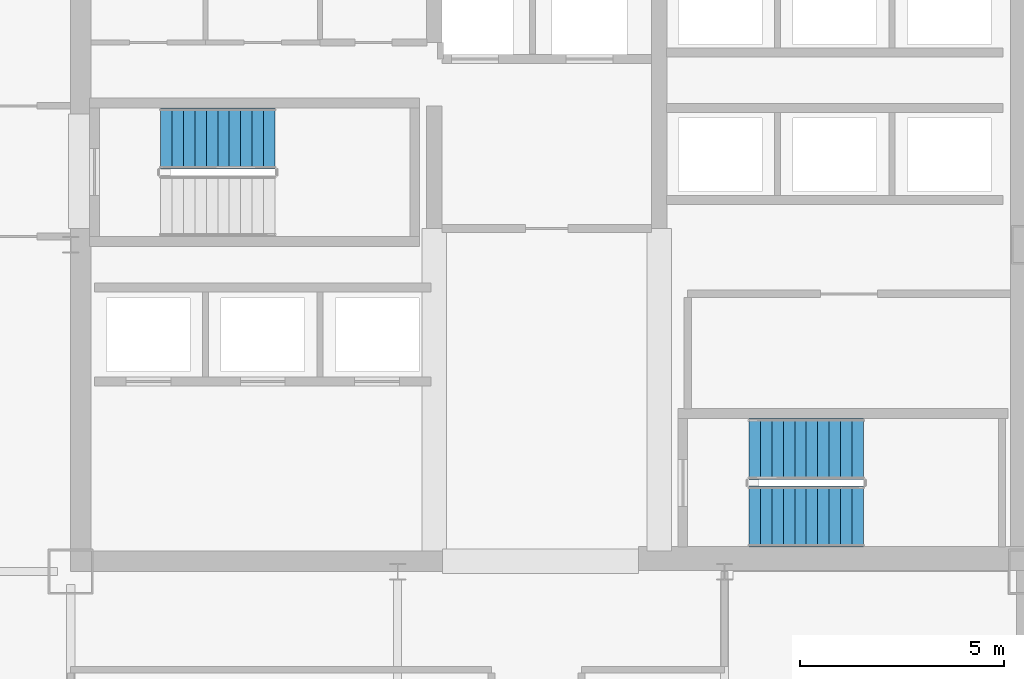
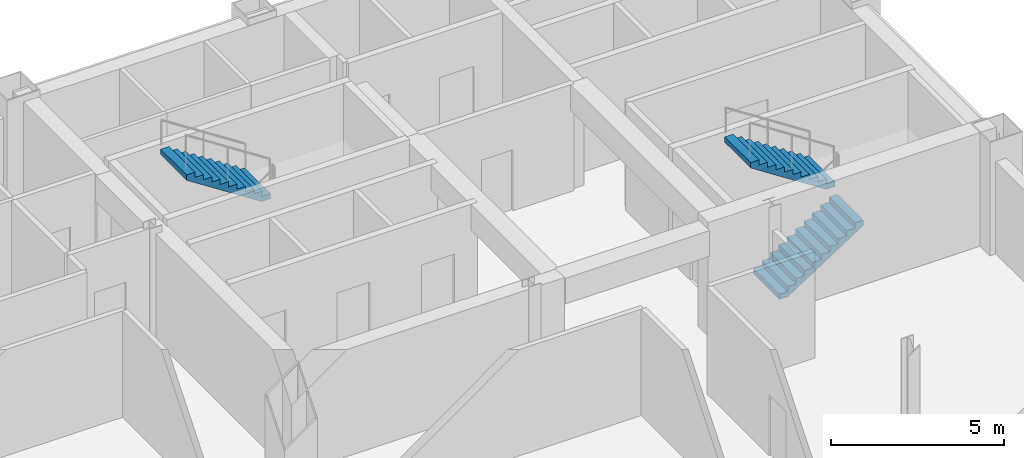
# One storey, part 8 of 10: 3 stair flights, 2 elements without a shape of their own.
"""IFC4 building model written with IfcOpenShell, lengths in metres."""

from ifc_helpers import new_model, si_unit, direction, frame, origin, place, context, subcontext, project, spatial, polyline, outline, extrude, material, type_object, element, aggregate, save


model = new_model("IFC4")

# Units and contexts
model_context = context("Model", 3, precision=1e-05, world=origin(), true_north=direction((0.0, 1.0)))
body_context = subcontext(model_context, "Body", "Model", "MODEL_VIEW")
ifc_project = project(units=[si_unit("LENGTHUNIT", "METRE"), si_unit("AREAUNIT", "SQUARE_METRE"), si_unit("VOLUMEUNIT", "CUBIC_METRE"), si_unit("PLANEANGLEUNIT", "RADIAN"), si_unit("MASSUNIT", "GRAM", prefix="KILO")], contexts=[model_context])

# Site, building, storey
site_placement = place(None, origin())
site = spatial("IfcSite", under=ifc_project, at=site_placement, CompositionType="ELEMENT")
building_placement = place(site_placement, origin())
building = spatial("IfcBuilding", under=site, at=building_placement, Name="Qianrong Seaharbour Tower", CompositionType="ELEMENT")
storey_placement = place(building_placement, frame((0.0, 0.0, 171.0)))
storey = spatial("IfcBuildingStorey", under=building, at=storey_placement, Name="L41", CompositionType="ELEMENT", Elevation=171.0)

# Stair, stair flight
ifc_material = material(Name="Concrete C50/60", Category="concrete")
stair_type = type_object("IfcStairType", Name="STAIR-DOGLEG-1500-R22", PredefinedType="HALF_TURN_STAIR", material=ifc_material)
stair_1_placement = place(storey_placement, origin())
stair_1 = element("IfcStair", 1, at=stair_1_placement, inside=storey, type_object=stair_type, Name="L41 Protected Escape Stair ST-1", PredefinedType="HALF_TURN_STAIR")
stair_flight_type = type_object("IfcStairFlightType", Name="FLIGHT-STR-1500-R22", PredefinedType="STRAIGHT", material=ifc_material)
stair_flight_1_placement = place(storey_placement, frame((45.5, 46.60009765625, 2.0), z_axis=(0.0, 0.0, 1.0), x_axis=(-1.0, 0.0, 0.0)))
stair_flight_1 = element("IfcStairFlight", 2, at=stair_flight_1_placement, type_object=stair_flight_type, Name="ST-1 flight 2", NumberOfRisers=11, NumberOfTreads=10, PredefinedType="STRAIGHT", RiserHeight=0.181818182, TreadLength=0.28, context=body_context, shape_type="SweptSolid", body=[
    extrude(outline(polyline([(0.0, 0.0), (0.0, 0.181884765625), (0.280029296875, 0.181884765625), (0.280029296875, 0.363525390625), (0.56005859375, 0.363525390625), (0.56005859375, 0.54541015625), (0.840087890625, 0.54541015625), (0.840087890625, 0.727294921875), (1.1201171875, 0.727294921875), (1.1201171875, 0.9091796875), (1.39990234375, 0.9091796875), (1.39990234375, 1.0908203125), (1.679931640625, 1.0908203125), (1.679931640625, 1.272705078125), (1.9599609375, 1.272705078125), (1.9599609375, 1.45458984375), (2.239990234375, 1.45458984375), (2.239990234375, 1.636474609375), (2.52001953125, 1.636474609375), (2.52001953125, 1.818115234375), (2.800048828125, 1.818115234375), (2.800048828125, 2.0), (2.800048828125, 1.62744140625), (0.293701171875, 0.0), (0.0, 0.0)])), frame((0.0, 0.75, 0.0), z_axis=(0.0, -1.0, 0.0), x_axis=(1.0, 0.0, 0.0)), (0.0, 0.0, 1.0), 1.5),
])
aggregate(stair_1, [stair_flight_1])

# Stair, stair flights
stair_2_placement = place(storey_placement, origin())
stair_2 = element("IfcStair", 3, at=stair_2_placement, inside=storey, type_object=stair_type, Name="L41 Protected Escape Stair ST-2", PredefinedType="HALF_TURN_STAIR")
stair_flight_2_placement = place(storey_placement, frame((57.10009765625, 37.35009765625, 0.0), z_axis=(0.0, 0.0, 1.0), x_axis=(1.0, 0.0, 0.0)))
stair_flight_2 = element("IfcStairFlight", 4, at=stair_flight_2_placement, type_object=stair_flight_type, Name="ST-2 flight 1", NumberOfRisers=11, NumberOfTreads=10, PredefinedType="STRAIGHT", RiserHeight=0.181818182, TreadLength=0.28, context=body_context, shape_type="SweptSolid", body=[
    extrude(outline(polyline([(0.0, 0.0), (0.0, 0.181884765625), (0.280029296875, 0.181884765625), (0.280029296875, 0.363525390625), (0.56005859375, 0.363525390625), (0.56005859375, 0.54541015625), (0.840087890625, 0.54541015625), (0.840087890625, 0.727294921875), (1.1201171875, 0.727294921875), (1.1201171875, 0.9091796875), (1.39990234375, 0.9091796875), (1.39990234375, 1.0908203125), (1.679931640625, 1.0908203125), (1.679931640625, 1.272705078125), (1.9599609375, 1.272705078125), (1.9599609375, 1.45458984375), (2.239990234375, 1.45458984375), (2.239990234375, 1.636474609375), (2.52001953125, 1.636474609375), (2.52001953125, 1.818115234375), (2.800048828125, 1.818115234375), (2.800048828125, 2.0), (2.800048828125, 1.62744140625), (0.293701171875, 0.0), (0.0, 0.0)])), frame((0.0, 0.75, 0.0), z_axis=(0.0, -1.0, 0.0), x_axis=(1.0, 0.0, 0.0)), (0.0, 0.0, 1.0), 1.5),
])
stair_flight_3_placement = place(storey_placement, frame((59.89990234375, 39.0, 2.0), z_axis=(0.0, 0.0, 1.0), x_axis=(-1.0, 0.0, 0.0)))
stair_flight_3 = element("IfcStairFlight", 5, at=stair_flight_3_placement, type_object=stair_flight_type, Name="ST-2 flight 2", NumberOfRisers=11, NumberOfTreads=10, PredefinedType="STRAIGHT", RiserHeight=0.181818182, TreadLength=0.28, context=body_context, shape_type="SweptSolid", body=[
    extrude(outline(polyline([(0.0, 0.0), (0.0, 0.181884765625), (0.280029296875, 0.181884765625), (0.280029296875, 0.363525390625), (0.56005859375, 0.363525390625), (0.56005859375, 0.54541015625), (0.840087890625, 0.54541015625), (0.840087890625, 0.727294921875), (1.1201171875, 0.727294921875), (1.1201171875, 0.9091796875), (1.39990234375, 0.9091796875), (1.39990234375, 1.0908203125), (1.679931640625, 1.0908203125), (1.679931640625, 1.272705078125), (1.9599609375, 1.272705078125), (1.9599609375, 1.45458984375), (2.239990234375, 1.45458984375), (2.239990234375, 1.636474609375), (2.52001953125, 1.636474609375), (2.52001953125, 1.818115234375), (2.800048828125, 1.818115234375), (2.800048828125, 2.0), (2.800048828125, 1.62744140625), (0.293701171875, 0.0), (0.0, 0.0)])), frame((0.0, 0.75, 0.0), z_axis=(0.0, -1.0, 0.0), x_axis=(1.0, 0.0, 0.0)), (0.0, 0.0, 1.0), 1.5),
])
aggregate(stair_2, [stair_flight_2, stair_flight_3])

save(model, "model.ifc")
